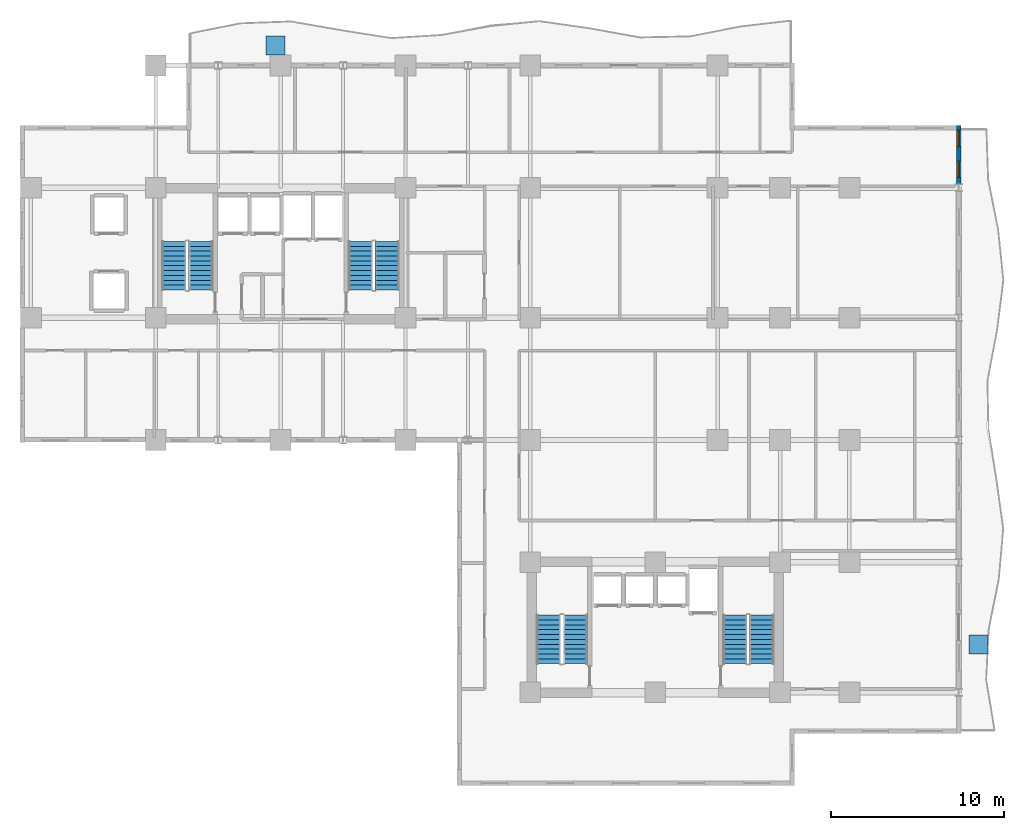
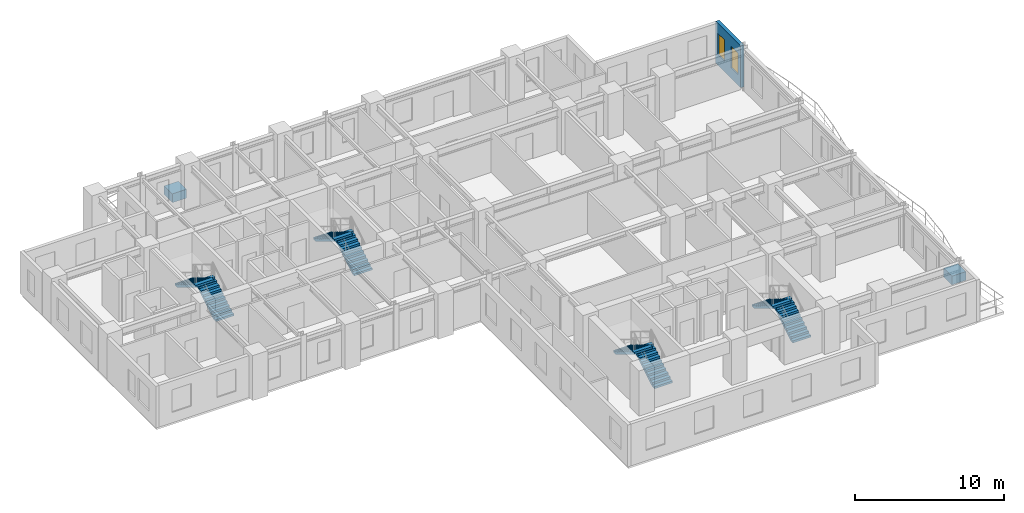
# One storey, part 8 of 11: 8 stair flights, 2 discrete accessories, 2 windows, 1 wall, 2 openings, 4 elements without a shape of their own.
"""IFC4 building model written with IfcOpenShell, lengths in metres."""

from ifc_helpers import new_model, si_unit, direction, frame, frame_2d, origin, origin_2d, place, context, subcontext, project, spatial, polyline, rectangle, outline, extrude, source, transform, mapped, material, layer, layer_set, type_object, element, fill, aggregate, save


model = new_model("IFC4")

# Units and contexts
model_context = context("Model", 3, precision=1e-05, world=origin(), true_north=direction((0.0, 1.0)))
body_context = subcontext(model_context, "Body", "Model", "MODEL_VIEW")
ifc_project = project(units=[si_unit("LENGTHUNIT", "METRE"), si_unit("AREAUNIT", "SQUARE_METRE"), si_unit("VOLUMEUNIT", "CUBIC_METRE"), si_unit("PLANEANGLEUNIT", "RADIAN"), si_unit("MASSUNIT", "GRAM", prefix="KILO")], contexts=[model_context])

# Site, building, storey
site_placement = place(None, origin())
site = spatial("IfcSite", under=ifc_project, at=site_placement, CompositionType="ELEMENT")
building_placement = place(site_placement, origin())
building = spatial("IfcBuilding", under=site, at=building_placement, Name="Kaliganga Portal Commons", CompositionType="ELEMENT")
storey_placement = place(building_placement, frame((0.0, 0.0, 115.60009765625)))
storey = spatial("IfcBuildingStorey", under=building, at=storey_placement, Name="L29", CompositionType="ELEMENT", Elevation=115.60009765625)

# Wall, openings, windows
ifc_material_1 = material(Name="Insulated Aluminium-Clad Spandrel Assembly", Category="aluminium")
ifc_layer = layer(ifc_material_1, 0.260009765625)
ifc_layer_set = layer_set([ifc_layer], Name="Insulated Aluminium-Clad Spandrel Assembly")
wall_type = type_object("IfcWallType", Name="WL-EXT-SPAND-260", PredefinedType="STANDARD", material=ifc_layer_set)
wall_placement = place(storey_placement, frame((60.699951171875, 39.72998046875, 0.0), z_axis=(0.0, 0.0, 1.0), x_axis=(0.0, -1.0, 0.0)))
wall = element("IfcWall", 1, at=wall_placement, inside=storey, type_object=wall_type, Name="Exterior Envelope Wall L29 P1-E03-S6", PredefinedType="STANDARD", context=body_context, shape_type="SweptSolid", body=[
    extrude(rectangle(XDim=3.364013671875, YDim=0.260009765625, at=frame_2d((1.68212890625, 0.0))), origin(), (0.0, 0.0, 1.0), 3.429931640625),
])
opening_1_placement = place(wall_placement, frame((2.041259765625, 0.0, 0.85009765625)))
opening_1 = element("IfcOpeningElement", 2, at=opening_1_placement, cuts=wall, Name="Opening W-04", PredefinedType="OPENING", context=body_context, shape_type="SweptSolid", body=[
    extrude(rectangle(XDim=0.949951171875, YDim=1.75, at=frame_2d((0.47509765625, 0.875))), frame((0.0, 0.14013671875, 0.0), z_axis=(0.0, -1.0, 0.0), x_axis=(1.0, 0.0, 0.0)), (0.0, 0.0, 1.0), 0.280029296875),
])
opening_2_placement = place(wall_placement, frame((0.26513671875, 0.0, 0.85009765625)))
opening_2 = element("IfcOpeningElement", 3, at=opening_2_placement, cuts=wall, Name="Opening W-04", PredefinedType="OPENING", context=body_context, shape_type="SweptSolid", body=[
    extrude(rectangle(XDim=0.949951171875, YDim=1.75, at=frame_2d((0.47509765625, 0.875))), frame((0.0, 0.14013671875, 0.0), z_axis=(0.0, -1.0, 0.0), x_axis=(1.0, 0.0, 0.0)), (0.0, 0.0, 1.0), 0.280029296875),
])
ifc_material_2 = material(Name="Thermally Broken Aluminium and Low-E Double Glazing", Category="aluminium")
window_type = type_object("IfcWindowType", Name="WIN-NARROW-950", PartitioningType="SINGLE_PANEL", PredefinedType="WINDOW", material=ifc_material_2)
window_1_placement = place(opening_1_placement, origin())
window_1 = element("IfcWindow", 4, at=window_1_placement, inside=storey, type_object=window_type, Name="Facade Window L29-P1E03S6-N2", OverallHeight=1.75, OverallWidth=0.949951171875, PartitioningType="SINGLE_PANEL", PredefinedType="WINDOW", context=body_context, shape_type="SweptSolid", body=[
    extrude(rectangle(XDim=0.949951171875, YDim=1.75, at=frame_2d((0.47509765625, 0.875))), frame((0.0, 0.030029296875, 0.0), z_axis=(0.0, -1.0, 0.0), x_axis=(1.0, 0.0, 0.0)), (0.0, 0.0, 1.0), 0.06005859375),
])
fill(opening_1, window_1)
window_2_placement = place(opening_2_placement, origin())
window_2 = element("IfcWindow", 5, at=window_2_placement, inside=storey, type_object=window_type, Name="Facade Window L29-P1E03S6-N9", OverallHeight=1.75, OverallWidth=0.949951171875, PartitioningType="SINGLE_PANEL", PredefinedType="WINDOW", context=body_context, shape_type="SweptSolid", body=[
    extrude(rectangle(XDim=0.949951171875, YDim=1.75, at=frame_2d((0.47509765625, 0.875))), frame((0.0, 0.030029296875, 0.0), z_axis=(0.0, -1.0, 0.0), x_axis=(1.0, 0.0, 0.0)), (0.0, 0.0, 1.0), 0.06005859375),
])
fill(opening_2, window_2)

# Stair, stair flights
ifc_material_3 = material(Name="Concrete C40/50", Category="concrete")
stair_type = type_object("IfcStairType", Name="ST-CORE-DOGLEG", PredefinedType="HALF_TURN_STAIR", material=ifc_material_3)
stair_1_placement = place(storey_placement, origin())
stair_1 = element("IfcStair", 6, at=stair_1_placement, inside=storey, type_object=stair_type, Name="L29 Protected Exit Stair ST-A1", PredefinedType="HALF_TURN_STAIR")
stair_flight_type = type_object("IfcStairFlightType", Name="STF-RC-1400", PredefinedType="STRAIGHT", material=ifc_material_3)
stair_flight_1_placement = place(storey_placement, frame((17.0, 30.25, 0.0), z_axis=(0.0, 0.0, 1.0), x_axis=(0.0, 1.0, 0.0)))
stair_flight_1 = element("IfcStairFlight", 7, at=stair_flight_1_placement, type_object=stair_flight_type, Name="ST-A1 flight 1", NumberOfRisers=11, NumberOfTreads=10, PredefinedType="STRAIGHT", RiserHeight=0.168181818, TreadLength=0.28, context=body_context, shape_type="SweptSolid", body=[
    extrude(outline(polyline([(0.0, 0.0), (0.0, 0.168212890625), (0.280029296875, 0.168212890625), (0.280029296875, 0.33642578125), (0.56005859375, 0.33642578125), (0.56005859375, 0.504638671875), (0.840087890625, 0.504638671875), (0.840087890625, 0.672607421875), (1.1201171875, 0.672607421875), (1.1201171875, 0.8408203125), (1.39990234375, 0.8408203125), (1.39990234375, 1.009033203125), (1.679931640625, 1.009033203125), (1.679931640625, 1.17724609375), (1.9599609375, 1.17724609375), (1.9599609375, 1.345458984375), (2.239990234375, 1.345458984375), (2.239990234375, 1.513671875), (2.52001953125, 1.513671875), (2.52001953125, 1.681884765625), (2.800048828125, 1.681884765625), (2.800048828125, 1.85009765625), (2.800048828125, 1.5068359375), (0.291015625, 0.0), (0.0, 0.0)])), frame((0.0, 0.699951171875, 0.0), z_axis=(0.0, -1.0, 0.0), x_axis=(1.0, 0.0, 0.0)), (0.0, 0.0, 1.0), 1.39990234375),
])
stair_flight_2_placement = place(storey_placement, frame((15.449951171875, 33.050048828125, 1.849853515625), z_axis=(0.0, 0.0, 1.0), x_axis=(0.0, -1.0, 0.0)))
stair_flight_2 = element("IfcStairFlight", 8, at=stair_flight_2_placement, type_object=stair_flight_type, Name="ST-A1 flight 2", NumberOfRisers=11, NumberOfTreads=10, PredefinedType="STRAIGHT", RiserHeight=0.168181818, TreadLength=0.28, context=body_context, shape_type="SweptSolid", body=[
    extrude(outline(polyline([(0.0, 0.0), (0.0, 0.168212890625), (0.280029296875, 0.168212890625), (0.280029296875, 0.33642578125), (0.56005859375, 0.33642578125), (0.56005859375, 0.504638671875), (0.840087890625, 0.504638671875), (0.840087890625, 0.672607421875), (1.1201171875, 0.672607421875), (1.1201171875, 0.8408203125), (1.39990234375, 0.8408203125), (1.39990234375, 1.009033203125), (1.679931640625, 1.009033203125), (1.679931640625, 1.17724609375), (1.9599609375, 1.17724609375), (1.9599609375, 1.345458984375), (2.239990234375, 1.345458984375), (2.239990234375, 1.513671875), (2.52001953125, 1.513671875), (2.52001953125, 1.681884765625), (2.800048828125, 1.681884765625), (2.800048828125, 1.85009765625), (2.800048828125, 1.5068359375), (0.291015625, 0.0), (0.0, 0.0)])), frame((0.0, 0.699951171875, 0.0), z_axis=(0.0, -1.0, 0.0), x_axis=(1.0, 0.0, 0.0)), (0.0, 0.0, 1.0), 1.39990234375),
])
aggregate(stair_1, [stair_flight_1, stair_flight_2])

stair_2_placement = place(storey_placement, origin())
stair_2 = element("IfcStair", 9, at=stair_2_placement, inside=storey, type_object=stair_type, Name="L29 Protected Exit Stair ST-A2", PredefinedType="HALF_TURN_STAIR")
stair_flight_3_placement = place(storey_placement, frame((27.75, 30.25, 0.0), z_axis=(0.0, 0.0, 1.0), x_axis=(0.0, 1.0, 0.0)))
stair_flight_3 = element("IfcStairFlight", 10, at=stair_flight_3_placement, type_object=stair_flight_type, Name="ST-A2 flight 1", NumberOfRisers=11, NumberOfTreads=10, PredefinedType="STRAIGHT", RiserHeight=0.168181818, TreadLength=0.28, context=body_context, shape_type="SweptSolid", body=[
    extrude(outline(polyline([(0.0, 0.0), (0.0, 0.168212890625), (0.280029296875, 0.168212890625), (0.280029296875, 0.33642578125), (0.56005859375, 0.33642578125), (0.56005859375, 0.504638671875), (0.840087890625, 0.504638671875), (0.840087890625, 0.672607421875), (1.1201171875, 0.672607421875), (1.1201171875, 0.8408203125), (1.39990234375, 0.8408203125), (1.39990234375, 1.009033203125), (1.679931640625, 1.009033203125), (1.679931640625, 1.17724609375), (1.9599609375, 1.17724609375), (1.9599609375, 1.345458984375), (2.239990234375, 1.345458984375), (2.239990234375, 1.513671875), (2.52001953125, 1.513671875), (2.52001953125, 1.681884765625), (2.800048828125, 1.681884765625), (2.800048828125, 1.85009765625), (2.800048828125, 1.5068359375), (0.291015625, 0.0), (0.0, 0.0)])), frame((0.0, 0.699951171875, 0.0), z_axis=(0.0, -1.0, 0.0), x_axis=(1.0, 0.0, 0.0)), (0.0, 0.0, 1.0), 1.39990234375),
])
stair_flight_4_placement = place(storey_placement, frame((26.199951171875, 33.050048828125, 1.849853515625), z_axis=(0.0, 0.0, 1.0), x_axis=(0.0, -1.0, 0.0)))
stair_flight_4 = element("IfcStairFlight", 11, at=stair_flight_4_placement, type_object=stair_flight_type, Name="ST-A2 flight 2", NumberOfRisers=11, NumberOfTreads=10, PredefinedType="STRAIGHT", RiserHeight=0.168181818, TreadLength=0.28, context=body_context, shape_type="SweptSolid", body=[
    extrude(outline(polyline([(0.0, 0.0), (0.0, 0.168212890625), (0.280029296875, 0.168212890625), (0.280029296875, 0.33642578125), (0.56005859375, 0.33642578125), (0.56005859375, 0.504638671875), (0.840087890625, 0.504638671875), (0.840087890625, 0.672607421875), (1.1201171875, 0.672607421875), (1.1201171875, 0.8408203125), (1.39990234375, 0.8408203125), (1.39990234375, 1.009033203125), (1.679931640625, 1.009033203125), (1.679931640625, 1.17724609375), (1.9599609375, 1.17724609375), (1.9599609375, 1.345458984375), (2.239990234375, 1.345458984375), (2.239990234375, 1.513671875), (2.52001953125, 1.513671875), (2.52001953125, 1.681884765625), (2.800048828125, 1.681884765625), (2.800048828125, 1.85009765625), (2.800048828125, 1.5068359375), (0.291015625, 0.0), (0.0, 0.0)])), frame((0.0, 0.699951171875, 0.0), z_axis=(0.0, -1.0, 0.0), x_axis=(1.0, 0.0, 0.0)), (0.0, 0.0, 1.0), 1.39990234375),
])
aggregate(stair_2, [stair_flight_3, stair_flight_4])

stair_3_placement = place(storey_placement, origin())
stair_3 = element("IfcStair", 12, at=stair_3_placement, inside=storey, type_object=stair_type, Name="L29 Protected Exit Stair ST-B1", PredefinedType="HALF_TURN_STAIR")
stair_flight_5_placement = place(storey_placement, frame((38.60009765625, 8.699951171875, 0.0), z_axis=(0.0, 0.0, 1.0), x_axis=(0.0, 1.0, 0.0)))
stair_flight_5 = element("IfcStairFlight", 13, at=stair_flight_5_placement, type_object=stair_flight_type, Name="ST-B1 flight 1", NumberOfRisers=11, NumberOfTreads=10, PredefinedType="STRAIGHT", RiserHeight=0.168181818, TreadLength=0.28, context=body_context, shape_type="SweptSolid", body=[
    extrude(outline(polyline([(0.0, 0.0), (0.0, 0.168212890625), (0.280029296875, 0.168212890625), (0.280029296875, 0.33642578125), (0.56005859375, 0.33642578125), (0.56005859375, 0.504638671875), (0.840087890625, 0.504638671875), (0.840087890625, 0.672607421875), (1.1201171875, 0.672607421875), (1.1201171875, 0.8408203125), (1.39990234375, 0.8408203125), (1.39990234375, 1.009033203125), (1.679931640625, 1.009033203125), (1.679931640625, 1.17724609375), (1.9599609375, 1.17724609375), (1.9599609375, 1.345458984375), (2.239990234375, 1.345458984375), (2.239990234375, 1.513671875), (2.52001953125, 1.513671875), (2.52001953125, 1.681884765625), (2.800048828125, 1.681884765625), (2.800048828125, 1.85009765625), (2.800048828125, 1.5068359375), (0.291015625, 0.0), (0.0, 0.0)])), frame((0.0, 0.699951171875, 0.0), z_axis=(0.0, -1.0, 0.0), x_axis=(1.0, 0.0, 0.0)), (0.0, 0.0, 1.0), 1.39990234375),
])
stair_flight_6_placement = place(storey_placement, frame((37.050048828125, 11.5, 1.849853515625), z_axis=(0.0, 0.0, 1.0), x_axis=(0.0, -1.0, 0.0)))
stair_flight_6 = element("IfcStairFlight", 14, at=stair_flight_6_placement, type_object=stair_flight_type, Name="ST-B1 flight 2", NumberOfRisers=11, NumberOfTreads=10, PredefinedType="STRAIGHT", RiserHeight=0.168181818, TreadLength=0.28, context=body_context, shape_type="SweptSolid", body=[
    extrude(outline(polyline([(0.0, 0.0), (0.0, 0.168212890625), (0.280029296875, 0.168212890625), (0.280029296875, 0.33642578125), (0.56005859375, 0.33642578125), (0.56005859375, 0.504638671875), (0.840087890625, 0.504638671875), (0.840087890625, 0.672607421875), (1.1201171875, 0.672607421875), (1.1201171875, 0.8408203125), (1.39990234375, 0.8408203125), (1.39990234375, 1.009033203125), (1.679931640625, 1.009033203125), (1.679931640625, 1.17724609375), (1.9599609375, 1.17724609375), (1.9599609375, 1.345458984375), (2.239990234375, 1.345458984375), (2.239990234375, 1.513671875), (2.52001953125, 1.513671875), (2.52001953125, 1.681884765625), (2.800048828125, 1.681884765625), (2.800048828125, 1.85009765625), (2.800048828125, 1.5068359375), (0.291015625, 0.0), (0.0, 0.0)])), frame((0.0, 0.699951171875, 0.0), z_axis=(0.0, -1.0, 0.0), x_axis=(1.0, 0.0, 0.0)), (0.0, 0.0, 1.0), 1.39990234375),
])
aggregate(stair_3, [stair_flight_5, stair_flight_6])

stair_4_placement = place(storey_placement, origin())
stair_4 = element("IfcStair", 15, at=stair_4_placement, inside=storey, type_object=stair_type, Name="L29 Protected Exit Stair ST-B2", PredefinedType="HALF_TURN_STAIR")
stair_flight_7_placement = place(storey_placement, frame((49.35009765625, 8.699951171875, 0.0), z_axis=(0.0, 0.0, 1.0), x_axis=(0.0, 1.0, 0.0)))
stair_flight_7 = element("IfcStairFlight", 16, at=stair_flight_7_placement, type_object=stair_flight_type, Name="ST-B2 flight 1", NumberOfRisers=11, NumberOfTreads=10, PredefinedType="STRAIGHT", RiserHeight=0.168181818, TreadLength=0.28, context=body_context, shape_type="SweptSolid", body=[
    extrude(outline(polyline([(0.0, 0.0), (0.0, 0.168212890625), (0.280029296875, 0.168212890625), (0.280029296875, 0.33642578125), (0.56005859375, 0.33642578125), (0.56005859375, 0.504638671875), (0.840087890625, 0.504638671875), (0.840087890625, 0.672607421875), (1.1201171875, 0.672607421875), (1.1201171875, 0.8408203125), (1.39990234375, 0.8408203125), (1.39990234375, 1.009033203125), (1.679931640625, 1.009033203125), (1.679931640625, 1.17724609375), (1.9599609375, 1.17724609375), (1.9599609375, 1.345458984375), (2.239990234375, 1.345458984375), (2.239990234375, 1.513671875), (2.52001953125, 1.513671875), (2.52001953125, 1.681884765625), (2.800048828125, 1.681884765625), (2.800048828125, 1.85009765625), (2.800048828125, 1.5068359375), (0.291015625, 0.0), (0.0, 0.0)])), frame((0.0, 0.699951171875, 0.0), z_axis=(0.0, -1.0, 0.0), x_axis=(1.0, 0.0, 0.0)), (0.0, 0.0, 1.0), 1.39990234375),
])
stair_flight_8_placement = place(storey_placement, frame((47.800048828125, 11.5, 1.849853515625), z_axis=(0.0, 0.0, 1.0), x_axis=(0.0, -1.0, 0.0)))
stair_flight_8 = element("IfcStairFlight", 17, at=stair_flight_8_placement, type_object=stair_flight_type, Name="ST-B2 flight 2", NumberOfRisers=11, NumberOfTreads=10, PredefinedType="STRAIGHT", RiserHeight=0.168181818, TreadLength=0.28, context=body_context, shape_type="SweptSolid", body=[
    extrude(outline(polyline([(0.0, 0.0), (0.0, 0.168212890625), (0.280029296875, 0.168212890625), (0.280029296875, 0.33642578125), (0.56005859375, 0.33642578125), (0.56005859375, 0.504638671875), (0.840087890625, 0.504638671875), (0.840087890625, 0.672607421875), (1.1201171875, 0.672607421875), (1.1201171875, 0.8408203125), (1.39990234375, 0.8408203125), (1.39990234375, 1.009033203125), (1.679931640625, 1.009033203125), (1.679931640625, 1.17724609375), (1.9599609375, 1.17724609375), (1.9599609375, 1.345458984375), (2.239990234375, 1.345458984375), (2.239990234375, 1.513671875), (2.52001953125, 1.513671875), (2.52001953125, 1.681884765625), (2.800048828125, 1.681884765625), (2.800048828125, 1.85009765625), (2.800048828125, 1.5068359375), (0.291015625, 0.0), (0.0, 0.0)])), frame((0.0, 0.699951171875, 0.0), z_axis=(0.0, -1.0, 0.0), x_axis=(1.0, 0.0, 0.0)), (0.0, 0.0, 1.0), 1.39990234375),
])
aggregate(stair_4, [stair_flight_7, stair_flight_8])

# Discrete accessories
ifc_material_4 = material(Name="Precast concrete C40/50", Category="concrete")
discrete_accessory_type = type_object("IfcDiscreteAccessoryType", Name="DAC-PLANTER-RC", PredefinedType="USERDEFINED", material=ifc_material_4)
shared_shape = source(origin(), body_context, "Body", "SweptSolid", [
    extrude(rectangle(XDim=1.10009765625, YDim=1.10009765625, at=origin_2d()), origin(), (0.0, 0.0, 1.0), 0.719970703125),
])
for number, where, z_axis, x_axis, name in (
    (18, (21.300048828125, 44.35009765625, 0.0), (0.0, 0.0, 1.0), (1.0, 0.0, 0.0), "Structural Tree Planter L29 balc_north"),
    (19, (61.85009765625, 9.800048828125, 0.0), (0.0, 0.0, 1.0), (1.0, 0.0, 0.0), "Structural Tree Planter L29 balc_east"),
):
    element("IfcDiscreteAccessory", number, at=place(storey_placement, frame(where, z_axis=z_axis, x_axis=x_axis)), inside=storey, type_object=discrete_accessory_type, Name=name, ObjectType="PLANTER", PredefinedType="USERDEFINED", context=body_context, shape_type="MappedRepresentation", body=[
        mapped(shared_shape, transform((0.0, 0.0, 0.0), x_axis=(1.0, 0.0, 0.0), y_axis=(0.0, 1.0, 0.0), z_axis=(0.0, 0.0, 1.0), scale=1.0)),
    ])

save(model, "model.ifc")
